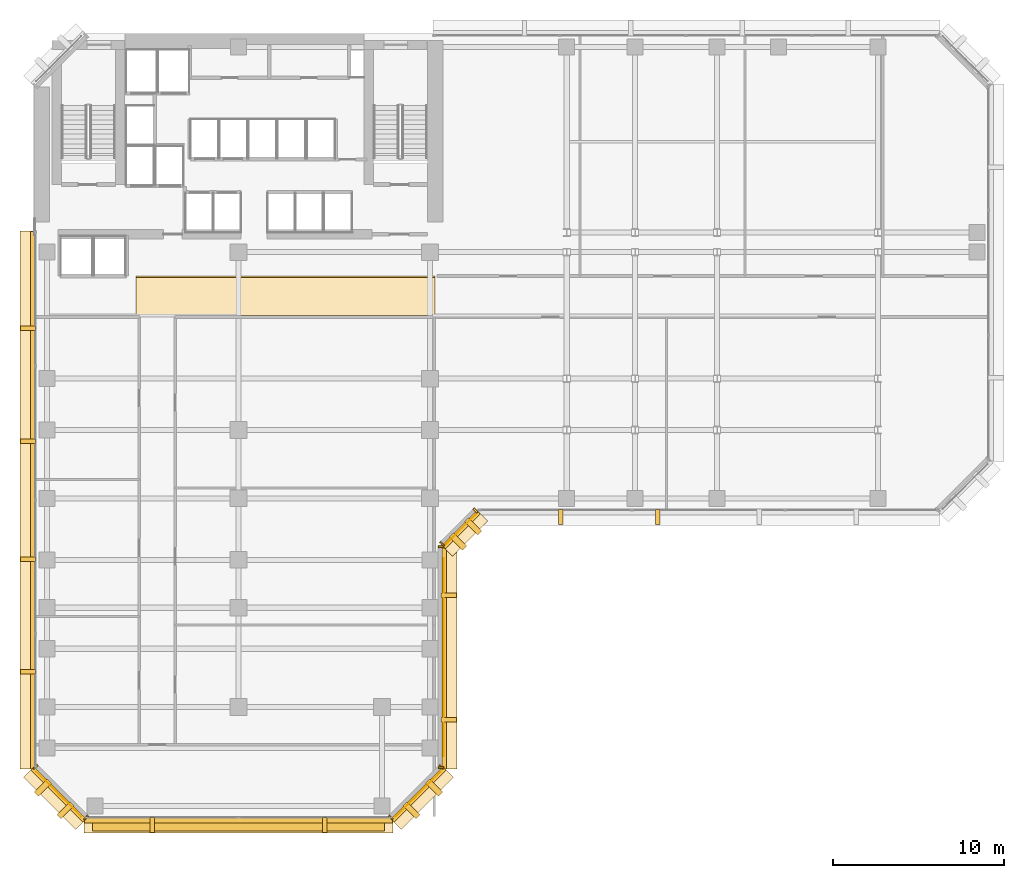
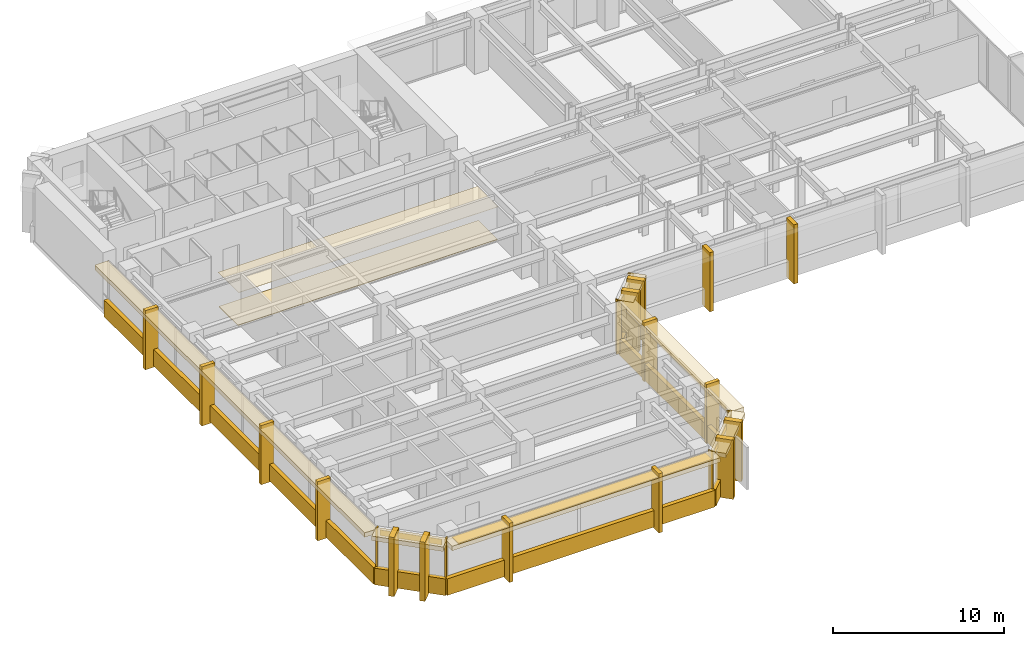
# One storey, part 9 of 13: 42 coverings, 1 shading device.
"""IFC4 building model written with IfcOpenShell, lengths in metres."""

from ifc_helpers import new_model, si_unit, direction, frame, origin, origin_2d, place, context, subcontext, project, spatial, polyline, rectangle, outline, extrude, material, layer, layer_set, type_object, element, save


model = new_model("IFC4")

# Units and contexts
model_context = context("Model", 3, precision=1e-05, world=origin(), true_north=direction((0.0, 1.0)))
body_context = subcontext(model_context, "Body", "Model", "MODEL_VIEW")
ifc_project = project(units=[si_unit("LENGTHUNIT", "METRE"), si_unit("AREAUNIT", "SQUARE_METRE"), si_unit("VOLUMEUNIT", "CUBIC_METRE"), si_unit("PLANEANGLEUNIT", "RADIAN"), si_unit("MASSUNIT", "GRAM", prefix="KILO")], contexts=[model_context])

# Site, building, storey
site_placement = place(None, origin())
site = spatial("IfcSite", under=ifc_project, at=site_placement, CompositionType="ELEMENT")
building_placement = place(site_placement, origin())
building = spatial("IfcBuilding", under=site, at=building_placement, Name="Kefirva Bronze Tower", CompositionType="ELEMENT")
storey_placement = place(building_placement, frame((0.0, 0.0, 98.669921875)))
storey = spatial("IfcBuildingStorey", under=building, at=storey_placement, Name="L23", CompositionType="ELEMENT", Elevation=98.669921875)

# Coverings
ifc_material_1 = material(Name="Acoustic mineral tile")
ifc_layer_1 = layer(ifc_material_1, 0.02490234375, Name="Acoustic mineral tile")
ifc_layer_set_1 = layer_set([ifc_layer_1], Name="Acoustic mineral tile")
covering_type_1 = type_object("IfcCoveringType", Name="Acoustic Mineral Suspended Ceiling 25mm", PredefinedType="CEILING", material=ifc_layer_set_1)
covering_1_placement = place(storey_placement, frame((0.0, 0.0, 2.400146484375)))
element("IfcCovering", 1, at=covering_1_placement, inside=storey, type_object=covering_type_1, Name="L23 Corridor Acoustic Ceiling", PredefinedType="CEILING", context=body_context, shape_type="SweptSolid", body=[
    extrude(outline(polyline([(6.0, 29.39990234375), (23.5, 29.39990234375), (23.5, 31.800048828125), (6.0, 31.800048828125), (6.0, 29.39990234375)])), origin(), (0.0, 0.0, 1.0), 0.02490234375),
])
ifc_material_2 = material(Name="Bronze anodised aluminium", Category="aluminium")
ifc_layer_2 = layer(ifc_material_2, 0.02001953125, Name="Bronze anodised aluminium")
ifc_layer_set_2 = layer_set([ifc_layer_2], Name="Bronze anodised aluminium")
covering_type_2 = type_object("IfcCoveringType", Name="Anodised Bronze Spandrel Cladding 20mm", PredefinedType="CLADDING", material=ifc_layer_set_2)
covering_2_placement = place(storey_placement, frame((12.0, -0.0400390625, -0.15966796875), z_axis=(0.0, 0.0, 1.0), x_axis=(1.0, 0.0, 0.0)))
element("IfcCovering", 2, at=covering_2_placement, inside=storey, type_object=covering_type_2, Name="L23 Streamline Horizontal Spandrel Band 0", PredefinedType="CLADDING", context=body_context, shape_type="SweptSolid", body=[
    extrude(rectangle(XDim=18.0400390625, YDim=0.280029296875, at=origin_2d()), origin(), (0.0, 0.0, 1.0), 1.179931640625),
])
covering_3_placement = place(storey_placement, frame((22.507080078125, 1.492919921875, 3.2900390625), z_axis=(0.0, 0.0, 1.0), x_axis=(0.707106781187, 0.707106781187, 0.0)))
element("IfcCovering", 3, at=covering_3_placement, inside=storey, type_object=covering_type_2, Name="L23 Bronze Spandrel Cladding 1", PredefinedType="CLADDING", context=body_context, shape_type="SweptSolid", body=[
    extrude(rectangle(XDim=3.719482421875, YDim=0.02001953125, at=origin_2d()), origin(), (0.0, 0.0, 1.0), 0.39990234375),
])
for number, where, z_axis, x_axis, name in (
    (4, (20.91162109375, 0.137939453125, 0.0), (0.0, 0.0, 1.0), (0.707106781187, 0.707106781187, 0.0), "L23 Facade Joint Closure Panel 1S"),
    (5, (23.862060546875, 3.08837890625, 0.0), (0.0, 0.0, 1.0), (0.707106781187, 0.707106781187, 0.0), "L23 Facade Joint Closure Panel 1E"),
):
    element("IfcCovering", number, at=place(storey_placement, frame(where, z_axis=z_axis, x_axis=x_axis)), inside=storey, type_object=covering_type_2, Name=name, PredefinedType="CLADDING", context=body_context, shape_type="SweptSolid", body=[
        extrude(rectangle(XDim=0.10009765625, YDim=0.320068359375, at=origin_2d()), origin(), (0.0, 0.0, 1.0), 3.7099609375),
    ])
covering_4_placement = place(storey_placement, frame((22.5283203125, 1.4716796875, -0.15966796875), z_axis=(0.0, 0.0, 1.0), x_axis=(0.707106781187, 0.707106781187, 0.0)))
element("IfcCovering", 6, at=covering_4_placement, inside=storey, type_object=covering_type_2, Name="L23 Streamline Horizontal Spandrel Band 1", PredefinedType="CLADDING", context=body_context, shape_type="SweptSolid", body=[
    extrude(rectangle(XDim=4.28271484375, YDim=0.280029296875, at=origin_2d()), origin(), (0.0, 0.0, 1.0), 1.179931640625),
])
covering_5_placement = place(storey_placement, frame((24.010009765625, 9.5, 3.2900390625), z_axis=(0.0, 0.0, 1.0), x_axis=(0.0, 1.0, 0.0)))
element("IfcCovering", 7, at=covering_5_placement, inside=storey, type_object=covering_type_2, Name="L23 Bronze Spandrel Cladding 2", PredefinedType="CLADDING", context=body_context, shape_type="SweptSolid", body=[
    extrude(rectangle(XDim=11.60107421875, YDim=0.02001953125, at=origin_2d()), origin(), (0.0, 0.0, 1.0), 0.39990234375),
])
for number, where, z_axis, x_axis, name in (
    (8, (23.840087890625, 3.034912109375, 0.0), (0.0, 0.0, 1.0), (0.0, 1.0, 0.0), "L23 Facade Joint Closure Panel 2S"),
    (9, (23.840087890625, 15.965087890625, 0.0), (0.0, 0.0, 1.0), (0.0, 1.0, 0.0), "L23 Facade Joint Closure Panel 2E"),
):
    element("IfcCovering", number, at=place(storey_placement, frame(where, z_axis=z_axis, x_axis=x_axis)), inside=storey, type_object=covering_type_2, Name=name, PredefinedType="CLADDING", context=body_context, shape_type="SweptSolid", body=[
        extrude(rectangle(XDim=0.10009765625, YDim=0.320068359375, at=origin_2d()), origin(), (0.0, 0.0, 1.0), 3.7099609375),
    ])
covering_6_placement = place(storey_placement, frame((24.0400390625, 9.5, -0.15966796875), z_axis=(0.0, 0.0, 1.0), x_axis=(0.0, 1.0, 0.0)))
element("IfcCovering", 10, at=covering_6_placement, inside=storey, type_object=covering_type_2, Name="L23 Streamline Horizontal Spandrel Band 2", PredefinedType="CLADDING", context=body_context, shape_type="SweptSolid", body=[
    extrude(rectangle(XDim=13.0400390625, YDim=0.280029296875, at=origin_2d()), origin(), (0.0, 0.0, 1.0), 1.179931640625),
])
covering_7_placement = place(storey_placement, frame((25.007080078125, 16.992919921875, 3.2900390625), z_axis=(0.0, 0.0, 1.0), x_axis=(0.707106781187, 0.707106781187, 0.0)))
element("IfcCovering", 11, at=covering_7_placement, inside=storey, type_object=covering_type_2, Name="L23 Bronze Spandrel Cladding 3", PredefinedType="CLADDING", context=body_context, shape_type="SweptSolid", body=[
    extrude(rectangle(XDim=2.446533203125, YDim=0.02001953125, at=origin_2d()), origin(), (0.0, 0.0, 1.0), 0.39990234375),
])
for number, where, z_axis, x_axis, name in (
    (12, (23.91162109375, 16.137939453125, 0.0), (0.0, 0.0, 1.0), (0.707106781187, 0.707106781187, 0.0), "L23 Facade Joint Closure Panel 3S"),
    (13, (25.862060546875, 18.08837890625, 0.0), (0.0, 0.0, 1.0), (0.707106781187, 0.707106781187, 0.0), "L23 Facade Joint Closure Panel 3E"),
):
    element("IfcCovering", number, at=place(storey_placement, frame(where, z_axis=z_axis, x_axis=x_axis)), inside=storey, type_object=covering_type_2, Name=name, PredefinedType="CLADDING", context=body_context, shape_type="SweptSolid", body=[
        extrude(rectangle(XDim=0.10009765625, YDim=0.320068359375, at=origin_2d()), origin(), (0.0, 0.0, 1.0), 3.7099609375),
    ])
covering_8_placement = place(storey_placement, frame((25.0283203125, 16.9716796875, -0.15966796875), z_axis=(0.0, 0.0, 1.0), x_axis=(0.707106781187, 0.707106781187, 0.0)))
element("IfcCovering", 14, at=covering_8_placement, inside=storey, type_object=covering_type_2, Name="L23 Streamline Horizontal Spandrel Band 3", PredefinedType="CLADDING", context=body_context, shape_type="SweptSolid", body=[
    extrude(rectangle(XDim=2.868408203125, YDim=0.280029296875, at=origin_2d()), origin(), (0.0, 0.0, 1.0), 1.179931640625),
])
covering_9_placement = place(storey_placement, frame((-0.0400390625, 18.697509765625, -0.15966796875), z_axis=(0.0, 0.0, 1.0), x_axis=(0.0, -1.0, 0.0)))
element("IfcCovering", 15, at=covering_9_placement, inside=storey, type_object=covering_type_2, Name="L23 Streamline Horizontal Spandrel Band 10", PredefinedType="CLADDING", context=body_context, shape_type="SweptSolid", body=[
    extrude(rectangle(XDim=31.43505859375, YDim=0.280029296875, at=origin_2d()), origin(), (0.0, 0.0, 1.0), 1.179931640625),
])
covering_10_placement = place(storey_placement, frame((1.492919921875, 1.492919921875, 3.2900390625), z_axis=(0.0, 0.0, 1.0), x_axis=(0.707106781187, -0.707106781187, 0.0)))
element("IfcCovering", 16, at=covering_10_placement, inside=storey, type_object=covering_type_2, Name="L23 Bronze Spandrel Cladding 7", PredefinedType="CLADDING", context=body_context, shape_type="SweptSolid", body=[
    extrude(rectangle(XDim=3.719482421875, YDim=0.02001953125, at=origin_2d()), origin(), (0.0, 0.0, 1.0), 0.39990234375),
])
for number, where, z_axis, x_axis, name in (
    (17, (0.137939453125, 3.08837890625, 0.0), (0.0, 0.0, 1.0), (0.707106781187, -0.707106781187, 0.0), "L23 Facade Joint Closure Panel 7S"),
    (18, (3.08837890625, 0.137939453125, 0.0), (0.0, 0.0, 1.0), (0.707106781187, -0.707106781187, 0.0), "L23 Facade Joint Closure Panel 7E"),
):
    element("IfcCovering", number, at=place(storey_placement, frame(where, z_axis=z_axis, x_axis=x_axis)), inside=storey, type_object=covering_type_2, Name=name, PredefinedType="CLADDING", context=body_context, shape_type="SweptSolid", body=[
        extrude(rectangle(XDim=0.10009765625, YDim=0.320068359375, at=origin_2d()), origin(), (0.0, 0.0, 1.0), 3.7099609375),
    ])
covering_11_placement = place(storey_placement, frame((1.4716796875, 1.4716796875, -0.15966796875), z_axis=(0.0, 0.0, 1.0), x_axis=(0.707106781187, -0.707106781187, 0.0)))
element("IfcCovering", 19, at=covering_11_placement, inside=storey, type_object=covering_type_2, Name="L23 Streamline Horizontal Spandrel Band 11", PredefinedType="CLADDING", context=body_context, shape_type="SweptSolid", body=[
    extrude(rectangle(XDim=4.28271484375, YDim=0.280029296875, at=origin_2d()), origin(), (0.0, 0.0, 1.0), 1.179931640625),
])

# Shading device
ifc_layer_3 = layer(ifc_material_2, 0.090087890625, Name="Bronze anodised aluminium")
ifc_layer_set_3 = layer_set([ifc_layer_3], Name="Bronze anodised aluminium")
shading_device_type = type_object("IfcShadingDeviceType", Name="Horizontal Bronze Sunshade Band 750mm", PredefinedType="JALOUSIE", material=ifc_layer_set_3)
shading_device_placement = place(storey_placement, frame((12.0, -0.294921875, 3.60498046875), z_axis=(0.0, 0.0, 1.0), x_axis=(1.0, 0.0, 0.0)))
element("IfcShadingDevice", 20, at=shading_device_placement, inside=storey, type_object=shading_device_type, Name="L23 Horizontal Bronze Sunshade Band 0", PredefinedType="JALOUSIE", context=body_context, shape_type="SweptSolid", body=[
    extrude(rectangle(XDim=17.090087890625, YDim=0.75, at=origin_2d()), origin(), (0.0, 0.0, 1.0), 0.090087890625),
])

# Coverings
ifc_material_3 = material(Name="Calcium sulphate access tile")
ifc_layer_4 = layer(ifc_material_3, 0.044921875, Name="Calcium sulphate access tile")
ifc_layer_set_4 = layer_set([ifc_layer_4], Name="Calcium sulphate access tile")
covering_type_3 = type_object("IfcCoveringType", Name="Raised Access Office Flooring 45mm", PredefinedType="FLOORING", material=ifc_layer_set_4)
covering_12_placement = place(storey_placement, origin())
element("IfcCovering", 21, at=covering_12_placement, inside=storey, type_object=covering_type_3, Name="L23 Architectural Finish Flooring", PredefinedType="FLOORING", context=body_context, shape_type="SweptSolid", body=[
    extrude(outline(polyline([(6.0, 29.47998046875), (23.5, 29.47998046875), (23.5, 31.719970703125), (6.0, 31.719970703125), (6.0, 29.47998046875)])), origin(), (0.0, 0.0, 1.0), 0.045166015625),
])
ifc_layer_5 = layer(ifc_material_2, 0.179931640625, Name="Bronze anodised aluminium")
ifc_layer_set_5 = layer_set([ifc_layer_5], Name="Bronze anodised aluminium")
covering_type_4 = type_object("IfcCoveringType", Name="Streamline Bronze Sunshade Eyebrow Cladding 180mm", PredefinedType="CLADDING", material=ifc_layer_set_5)
covering_13_placement = place(storey_placement, frame((12.0, -0.31005859375, 3.39013671875), z_axis=(0.0, 0.0, 1.0), x_axis=(1.0, 0.0, 0.0)))
element("IfcCovering", 22, at=covering_13_placement, inside=storey, type_object=covering_type_4, Name="L23 Streamline Bronze Sunshade Eyebrow 0", PredefinedType="CLADDING", context=body_context, shape_type="SweptSolid", body=[
    extrude(rectangle(XDim=18.080078125, YDim=0.93994140625, at=origin_2d()), origin(), (0.0, 0.0, 1.0), 0.320068359375),
])
covering_14_placement = place(storey_placement, frame((22.71923828125, 1.28076171875, 3.39013671875), z_axis=(0.0, 0.0, 1.0), x_axis=(0.707106781187, 0.707106781187, 0.0)))
element("IfcCovering", 23, at=covering_14_placement, inside=storey, type_object=covering_type_4, Name="L23 Streamline Bronze Sunshade Eyebrow 1", PredefinedType="CLADDING", context=body_context, shape_type="SweptSolid", body=[
    extrude(rectangle(XDim=4.322509765625, YDim=0.93994140625, at=origin_2d()), origin(), (0.0, 0.0, 1.0), 0.320068359375),
])
covering_15_placement = place(storey_placement, frame((24.31005859375, 9.5, 3.39013671875), z_axis=(0.0, 0.0, 1.0), x_axis=(0.0, 1.0, 0.0)))
element("IfcCovering", 24, at=covering_15_placement, inside=storey, type_object=covering_type_4, Name="L23 Streamline Bronze Sunshade Eyebrow 2", PredefinedType="CLADDING", context=body_context, shape_type="SweptSolid", body=[
    extrude(rectangle(XDim=13.080078125, YDim=0.93994140625, at=origin_2d()), origin(), (0.0, 0.0, 1.0), 0.320068359375),
])
covering_16_placement = place(storey_placement, frame((25.21923828125, 16.78076171875, 3.39013671875), z_axis=(0.0, 0.0, 1.0), x_axis=(0.707106781187, 0.707106781187, 0.0)))
element("IfcCovering", 25, at=covering_16_placement, inside=storey, type_object=covering_type_4, Name="L23 Streamline Bronze Sunshade Eyebrow 3", PredefinedType="CLADDING", context=body_context, shape_type="SweptSolid", body=[
    extrude(rectangle(XDim=2.908447265625, YDim=0.93994140625, at=origin_2d()), origin(), (0.0, 0.0, 1.0), 0.320068359375),
])
covering_17_placement = place(storey_placement, frame((-0.31005859375, 18.697509765625, 3.39013671875), z_axis=(0.0, 0.0, 1.0), x_axis=(0.0, -1.0, 0.0)))
element("IfcCovering", 26, at=covering_17_placement, inside=storey, type_object=covering_type_4, Name="L23 Streamline Bronze Sunshade Eyebrow 10", PredefinedType="CLADDING", context=body_context, shape_type="SweptSolid", body=[
    extrude(rectangle(XDim=31.47509765625, YDim=0.93994140625, at=origin_2d()), origin(), (0.0, 0.0, 1.0), 0.320068359375),
])
covering_18_placement = place(storey_placement, frame((1.28076171875, 1.28076171875, 3.39013671875), z_axis=(0.0, 0.0, 1.0), x_axis=(0.707106781187, -0.707106781187, 0.0)))
element("IfcCovering", 27, at=covering_18_placement, inside=storey, type_object=covering_type_4, Name="L23 Streamline Bronze Sunshade Eyebrow 11", PredefinedType="CLADDING", context=body_context, shape_type="SweptSolid", body=[
    extrude(rectangle(XDim=4.322509765625, YDim=0.93994140625, at=origin_2d()), origin(), (0.0, 0.0, 1.0), 0.320068359375),
])
ifc_layer_6 = layer(ifc_material_2, 0.260009765625, Name="Bronze anodised aluminium")
ifc_layer_set_6 = layer_set([ifc_layer_6], Name="Bronze anodised aluminium")
covering_type_5 = type_object("IfcCoveringType", Name="Unbroken Bronze Buttress Fin Cladding 260mm", PredefinedType="CLADDING", material=ifc_layer_set_6)
for number, where, z_axis, x_axis, name in (
    (28, (6.9599609375, -0.300048828125, -0.25), (0.0, 0.0, 1.0), (1.0, 0.0, 0.0), "L23 Unbroken Vertical Bronze Rib Fin 1"),
    (29, (17.0400390625, -0.300048828125, -0.25), (0.0, 0.0, 1.0), (1.0, 0.0, 0.0), "L23 Unbroken Vertical Bronze Rib Fin 2"),
):
    element("IfcCovering", number, at=place(storey_placement, frame(where, z_axis=z_axis, x_axis=x_axis)), inside=storey, type_object=covering_type_5, Name=name, PredefinedType="CLADDING", context=body_context, shape_type="SweptSolid", body=[
        extrude(rectangle(XDim=0.260009765625, YDim=0.8798828125, at=origin_2d()), origin(), (0.0, 0.0, 1.0), 4.2099609375),
    ])
for number, where, z_axis, x_axis, name in (
    (30, (22.122802734375, 0.55712890625, -0.25), (0.0, 0.0, 1.0), (0.707106781187, 0.707106781187, 0.0), "L23 Chamfered Corner Buttress Fin Cladding 3"),
    (31, (23.44287109375, 1.877197265625, -0.25), (0.0, 0.0, 1.0), (0.707106781187, 0.707106781187, 0.0), "L23 Chamfered Corner Buttress Fin Cladding 4"),
):
    element("IfcCovering", number, at=place(storey_placement, frame(where, z_axis=z_axis, x_axis=x_axis)), inside=storey, type_object=covering_type_5, Name=name, PredefinedType="CLADDING", context=body_context, shape_type="SweptSolid", body=[
        extrude(rectangle(XDim=0.340087890625, YDim=1.080078125, at=origin_2d()), origin(), (0.0, 0.0, 1.0), 4.2099609375),
    ])
for number, where, z_axis, x_axis, name in (
    (32, (24.300048828125, 5.860107421875, -0.25), (0.0, 0.0, 1.0), (0.0, 1.0, 0.0), "L23 Unbroken Vertical Bronze Rib Fin 5"),
    (33, (24.300048828125, 13.139892578125, -0.25), (0.0, 0.0, 1.0), (0.0, 1.0, 0.0), "L23 Unbroken Vertical Bronze Rib Fin 6"),
):
    element("IfcCovering", number, at=place(storey_placement, frame(where, z_axis=z_axis, x_axis=x_axis)), inside=storey, type_object=covering_type_5, Name=name, PredefinedType="CLADDING", context=body_context, shape_type="SweptSolid", body=[
        extrude(rectangle(XDim=0.260009765625, YDim=0.8798828125, at=origin_2d()), origin(), (0.0, 0.0, 1.0), 4.2099609375),
    ])
for number, where, z_axis, x_axis, name in (
    (34, (24.8427734375, 16.277099609375, -0.25), (0.0, 0.0, 1.0), (0.707106781187, 0.707106781187, 0.0), "L23 Chamfered Corner Buttress Fin Cladding 7"),
    (35, (25.722900390625, 17.1572265625, -0.25), (0.0, 0.0, 1.0), (0.707106781187, 0.707106781187, 0.0), "L23 Chamfered Corner Buttress Fin Cladding 8"),
):
    element("IfcCovering", number, at=place(storey_placement, frame(where, z_axis=z_axis, x_axis=x_axis)), inside=storey, type_object=covering_type_5, Name=name, PredefinedType="CLADDING", context=body_context, shape_type="SweptSolid", body=[
        extrude(rectangle(XDim=0.340087890625, YDim=1.080078125, at=origin_2d()), origin(), (0.0, 0.0, 1.0), 4.2099609375),
    ])
for number, where, z_axis, x_axis, name in (
    (36, (30.860107421875, 17.699951171875, -0.25), (0.0, 0.0, 1.0), (1.0, 0.0, 0.0), "L23 Unbroken Vertical Bronze Rib Fin 9"),
    (37, (36.530029296875, 17.699951171875, -0.25), (0.0, 0.0, 1.0), (1.0, 0.0, 0.0), "L23 Unbroken Vertical Bronze Rib Fin 10"),
    (38, (-0.300048828125, 28.743896484375, -0.25), (0.0, 0.0, 1.0), (0.0, -1.0, 0.0), "L23 Unbroken Vertical Bronze Rib Fin 25"),
    (39, (-0.300048828125, 22.15087890625, -0.25), (0.0, 0.0, 1.0), (0.0, -1.0, 0.0), "L23 Unbroken Vertical Bronze Rib Fin 26"),
    (40, (-0.300048828125, 15.244140625, -0.25), (0.0, 0.0, 1.0), (0.0, -1.0, 0.0), "L23 Unbroken Vertical Bronze Rib Fin 27"),
    (41, (-0.300048828125, 8.651123046875, -0.25), (0.0, 0.0, 1.0), (0.0, -1.0, 0.0), "L23 Unbroken Vertical Bronze Rib Fin 28"),
):
    element("IfcCovering", number, at=place(storey_placement, frame(where, z_axis=z_axis, x_axis=x_axis)), inside=storey, type_object=covering_type_5, Name=name, PredefinedType="CLADDING", context=body_context, shape_type="SweptSolid", body=[
        extrude(rectangle(XDim=0.260009765625, YDim=0.8798828125, at=origin_2d()), origin(), (0.0, 0.0, 1.0), 4.2099609375),
    ])
for number, where, z_axis, x_axis, name in (
    (42, (0.55712890625, 1.877197265625, -0.25), (0.0, 0.0, 1.0), (0.707106781187, -0.707106781187, 0.0), "L23 Chamfered Corner Buttress Fin Cladding 29"),
    (43, (1.877197265625, 0.55712890625, -0.25), (0.0, 0.0, 1.0), (0.707106781187, -0.707106781187, 0.0), "L23 Chamfered Corner Buttress Fin Cladding 30"),
):
    element("IfcCovering", number, at=place(storey_placement, frame(where, z_axis=z_axis, x_axis=x_axis)), inside=storey, type_object=covering_type_5, Name=name, PredefinedType="CLADDING", context=body_context, shape_type="SweptSolid", body=[
        extrude(rectangle(XDim=0.340087890625, YDim=1.080078125, at=origin_2d()), origin(), (0.0, 0.0, 1.0), 4.2099609375),
    ])

save(model, "model.ifc")
